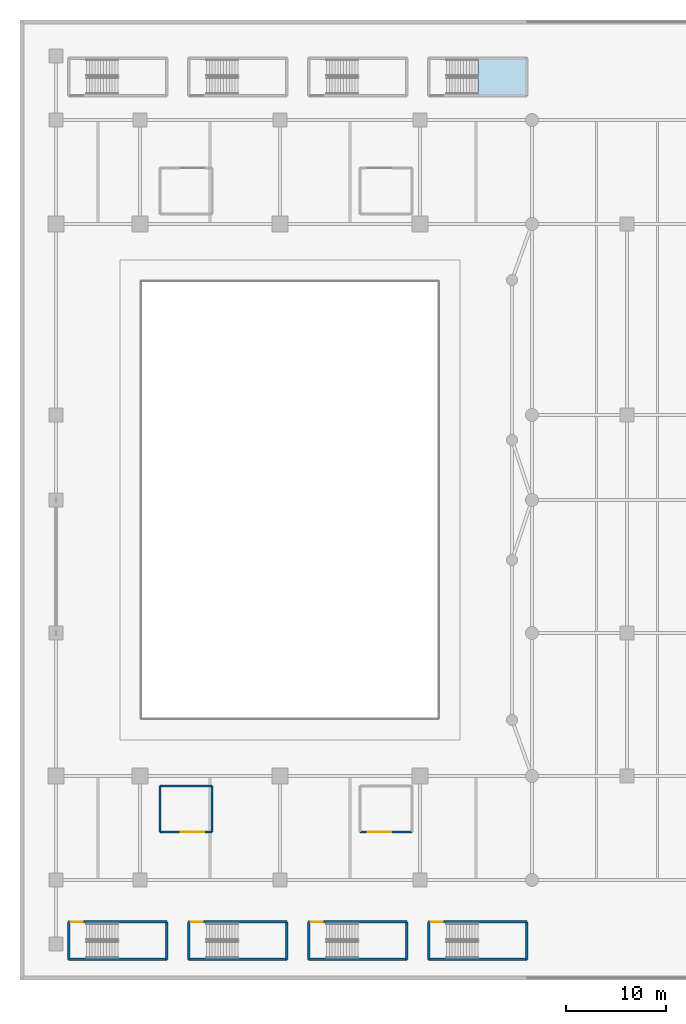
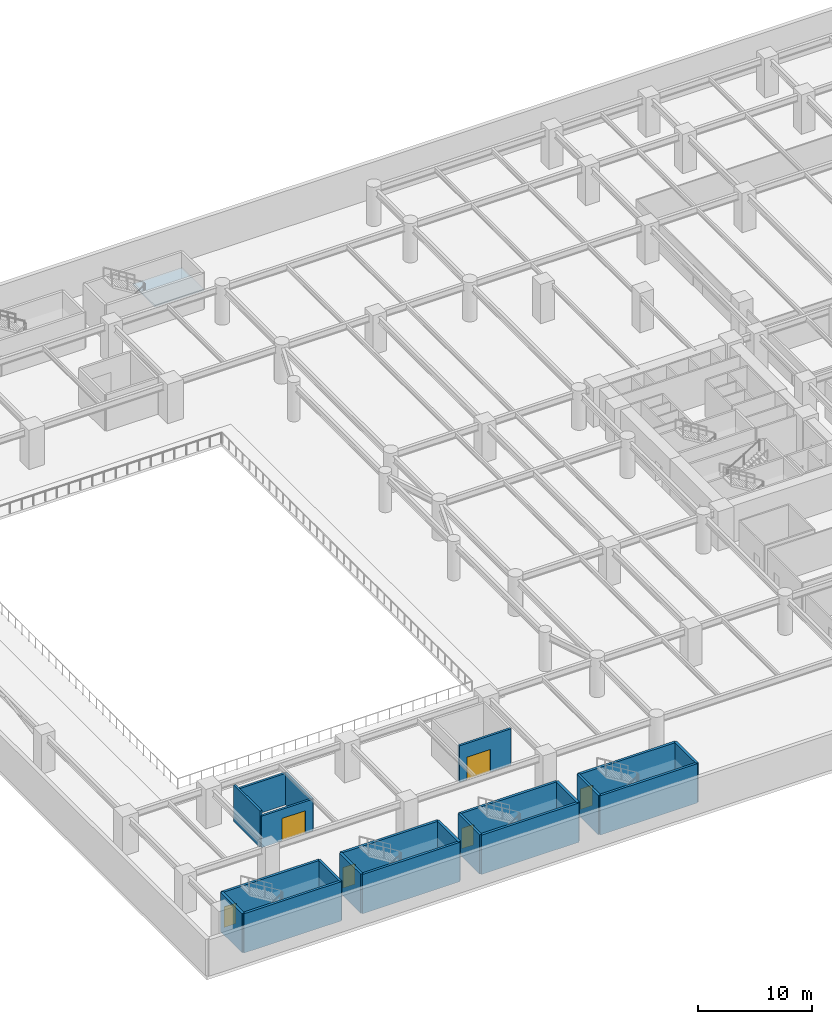
# One storey, part 5 of 22: 21 walls, 6 doors, 1 slab, 6 openings, 1 element without a shape of its own.
"""IFC4 building model written with IfcOpenShell, lengths in metres."""

from ifc_helpers import new_model, si_unit, direction, frame, frame_2d, origin, place, context, subcontext, project, spatial, polyline, rectangle, outline, extrude, material, layer, layer_set, type_object, element, fill, aggregate, save


model = new_model("IFC4")

# Units and contexts
model_context = context("Model", 3, precision=1e-05, world=origin(), true_north=direction((0.0, 1.0)))
body_context = subcontext(model_context, "Body", "Model", "MODEL_VIEW")
ifc_project = project(units=[si_unit("LENGTHUNIT", "METRE"), si_unit("AREAUNIT", "SQUARE_METRE"), si_unit("VOLUMEUNIT", "CUBIC_METRE"), si_unit("PLANEANGLEUNIT", "RADIAN"), si_unit("MASSUNIT", "GRAM", prefix="KILO")], contexts=[model_context])

# Site, building, storey
site_placement = place(None, origin())
site = spatial("IfcSite", under=ifc_project, at=site_placement, CompositionType="ELEMENT")
building_placement = place(site_placement, origin())
building = spatial("IfcBuilding", under=site, at=building_placement, Name="Narakoshi Arena Tower", CompositionType="ELEMENT")
storey_placement = place(building_placement, frame((0.0, 0.0, 13.199951171875)))
storey = spatial("IfcBuildingStorey", under=building, at=storey_placement, Name="L03", CompositionType="ELEMENT", Elevation=13.199951171875)

# Stair, slab
ifc_material_1 = material(Name="Concrete C45/55", Category="concrete")
stair_type = type_object("IfcStairType", Name="STR-ARN-2400", PredefinedType="TWO_STRAIGHT_RUN_STAIR", material=ifc_material_1)
stair_placement = place(storey_placement, origin())
stair = element("IfcStair", 1, at=stair_placement, inside=storey, type_object=stair_type, Name="L03 Arena Crowd Escape Stair AST8", PredefinedType="TWO_STRAIGHT_RUN_STAIR")
ifc_layer_1 = layer(ifc_material_1, 0.18994140625)
ifc_layer_set_1 = layer_set([ifc_layer_1], Name="Concrete C45/55")
slab_type = type_object("IfcSlabType", Name="SLB-LND-190", PredefinedType="LANDING", material=ifc_layer_set_1)
slab_placement = place(storey_placement, frame((0.0, 0.0, 1.91015625)))
slab = element("IfcSlab", 2, at=slab_placement, type_object=slab_type, Name="AST8 landing 1", PredefinedType="LANDING", context=body_context, shape_type="SweptSolid", body=[
    extrude(outline(polyline([(45.784912109375, 88.419921875), (50.72998046875, 88.419921875), (50.72998046875, 92.22998046875), (45.784912109375, 92.22998046875), (45.784912109375, 88.419921875)])), origin(), (0.0, 0.0, 1.0), 0.18994140625),
])
aggregate(stair, [slab])

# Wall, opening, door
ifc_material_2 = material(Name="Concrete C40/50", Category="concrete")
ifc_layer_2 = layer(ifc_material_2, 0.219970703125)
ifc_layer_set_2 = layer_set([ifc_layer_2], Name="Concrete C40/50")
wall_type_1 = type_object("IfcWallType", Name="WL-COMP-220", PredefinedType="SOLIDWALL", material=ifc_layer_set_2)
wall_1_placement = place(storey_placement, frame((14.0, 14.800048828125, 0.0), z_axis=(0.0, 0.0, 1.0), x_axis=(1.0, 0.0, 0.0)))
wall_1 = element("IfcWall", 3, at=wall_1_placement, inside=storey, type_object=wall_type_1, Name="L03 Vomitory 1 Wall S", PredefinedType="SOLIDWALL", context=body_context, shape_type="SweptSolid", body=[
    extrude(rectangle(XDim=5.199951171875, YDim=0.219970703125, at=frame_2d((2.60009765625, 0.0))), origin(), (0.0, 0.0, 1.0), 3.364990234375),
])
opening_1_placement = place(wall_1_placement, frame((2.050048828125, 0.0, 0.0)))
opening_1 = element("IfcOpeningElement", 4, at=opening_1_placement, cuts=wall_1, Name="Opening D-02", PredefinedType="OPENING", context=body_context, shape_type="SweptSolid", body=[
    extrude(rectangle(XDim=2.39990234375, YDim=2.39990234375, at=frame_2d((1.199951171875, 1.199951171875))), frame((0.0, 0.119873046875, 0.0), z_axis=(0.0, -1.0, 0.0), x_axis=(1.0, 0.0, 0.0)), (0.0, 0.0, 1.0), 0.239990234375),
])
ifc_material_3 = material(Name="Painted galvanized steel", Category="steel")
door_type_1 = type_object("IfcDoorType", Name="DR-ARN-2400", OperationType="DOUBLE_DOOR_SINGLE_SWING", PredefinedType="USERDEFINED", material=ifc_material_3)
door_1_placement = place(opening_1_placement, frame((2.39990234375, 0.0, 0.0), z_axis=(0.0, 0.0, 1.0), x_axis=(-1.0, 0.0, 0.0)))
door_1 = element("IfcDoor", 5, at=door_1_placement, inside=storey, type_object=door_type_1, Name="DR-L03-021", ObjectType="EXITDOOR", OperationType="DOUBLE_DOOR_SINGLE_SWING", OverallHeight=2.39990234375, OverallWidth=2.39990234375, PredefinedType="USERDEFINED", context=body_context, shape_type="SweptSolid", body=[
    extrude(rectangle(XDim=2.39990234375, YDim=2.39990234375, at=frame_2d((1.199951171875, 1.199951171875))), frame((0.0, 0.02490234375, 0.0), z_axis=(0.0, -1.0, 0.0), x_axis=(1.0, 0.0, 0.0)), (0.0, 0.0, 1.0), 0.050048828125),
])
fill(opening_1, door_1)

# Walls
wall_2_placement = place(storey_placement, frame((19.199951171875, 14.800048828125, 0.0), z_axis=(0.0, 0.0, 1.0), x_axis=(0.0, 1.0, 0.0)))
element("IfcWall", 6, at=wall_2_placement, inside=storey, type_object=wall_type_1, Name="L03 Vomitory 1 Wall E", PredefinedType="SOLIDWALL", context=body_context, shape_type="SweptSolid", body=[
    extrude(rectangle(XDim=4.599853515625, YDim=0.219970703125, at=frame_2d((2.2998046875, 0.0))), origin(), (0.0, 0.0, 1.0), 3.364990234375),
])
wall_3_placement = place(storey_placement, frame((19.199951171875, 19.39990234375, 0.0), z_axis=(0.0, 0.0, 1.0), x_axis=(-1.0, 0.0, 0.0)))
element("IfcWall", 7, at=wall_3_placement, inside=storey, type_object=wall_type_1, Name="L03 Vomitory 1 Wall N", PredefinedType="SOLIDWALL", context=body_context, shape_type="SweptSolid", body=[
    extrude(rectangle(XDim=5.199951171875, YDim=0.219970703125, at=frame_2d((2.60009765625, 0.0))), origin(), (0.0, 0.0, 1.0), 3.364990234375),
])
wall_4_placement = place(storey_placement, frame((14.0, 19.39990234375, 0.0), z_axis=(0.0, 0.0, 1.0), x_axis=(0.0, -1.0, 0.0)))
element("IfcWall", 8, at=wall_4_placement, inside=storey, type_object=wall_type_1, Name="L03 Vomitory 1 Wall W", PredefinedType="SOLIDWALL", context=body_context, shape_type="SweptSolid", body=[
    extrude(rectangle(XDim=4.599853515625, YDim=0.219970703125, at=frame_2d((2.2998046875, 0.0))), origin(), (0.0, 0.0, 1.0), 3.880126953125),
])

# Wall, opening, door
wall_5_placement = place(storey_placement, frame((34.0, 14.800048828125, 0.0), z_axis=(0.0, 0.0, 1.0), x_axis=(1.0, 0.0, 0.0)))
wall_5 = element("IfcWall", 9, at=wall_5_placement, inside=storey, type_object=wall_type_1, Name="L03 Vomitory 2 Wall S", PredefinedType="SOLIDWALL", context=body_context, shape_type="SweptSolid", body=[
    extrude(rectangle(XDim=5.199951171875, YDim=0.219970703125, at=frame_2d((2.60009765625, 0.0))), origin(), (0.0, 0.0, 1.0), 3.880126953125),
])
opening_2_placement = place(wall_5_placement, frame((0.75, 0.0, 0.0)))
opening_2 = element("IfcOpeningElement", 10, at=opening_2_placement, cuts=wall_5, Name="Opening D-02", PredefinedType="OPENING", context=body_context, shape_type="SweptSolid", body=[
    extrude(rectangle(XDim=2.39990234375, YDim=2.39990234375, at=frame_2d((1.199951171875, 1.199951171875))), frame((0.0, 0.119873046875, 0.0), z_axis=(0.0, -1.0, 0.0), x_axis=(1.0, 0.0, 0.0)), (0.0, 0.0, 1.0), 0.239990234375),
])
door_2_placement = place(opening_2_placement, frame((2.39990234375, 0.0, 0.0), z_axis=(0.0, 0.0, 1.0), x_axis=(-1.0, 0.0, 0.0)))
door_2 = element("IfcDoor", 11, at=door_2_placement, inside=storey, type_object=door_type_1, Name="DR-L03-022", ObjectType="EXITDOOR", OperationType="DOUBLE_DOOR_SINGLE_SWING", OverallHeight=2.39990234375, OverallWidth=2.39990234375, PredefinedType="USERDEFINED", context=body_context, shape_type="SweptSolid", body=[
    extrude(rectangle(XDim=2.39990234375, YDim=2.39990234375, at=frame_2d((1.199951171875, 1.199951171875))), frame((0.0, 0.02490234375, 0.0), z_axis=(0.0, -1.0, 0.0), x_axis=(1.0, 0.0, 0.0)), (0.0, 0.0, 1.0), 0.050048828125),
])
fill(opening_2, door_2)

# Walls
ifc_material_4 = material(Name="Concrete C50/60", Category="concrete")
ifc_layer_3 = layer(ifc_material_4, 0.35009765625)
ifc_layer_set_3 = layer_set([ifc_layer_3], Name="Concrete C50/60")
wall_type_2 = type_object("IfcWallType", Name="WL-SHAFT-350", PredefinedType="SOLIDWALL", material=ifc_layer_set_3)
for number, where, z_axis, x_axis, name in (
    (12, (4.85009765625, 2.050048828125, -0.320068359375), (0.0, 0.0, 1.0), (0.0, 1.0, 0.0), "L03 AST1 Enclosure Wall W"),
    (13, (14.699951171875, 2.050048828125, -0.320068359375), (0.0, 0.0, 1.0), (0.0, 1.0, 0.0), "L03 AST1 Enclosure Wall E"),
):
    element("IfcWall", number, at=place(storey_placement, frame(where, z_axis=z_axis, x_axis=x_axis)), inside=storey, type_object=wall_type_2, Name=name, PredefinedType="SOLIDWALL", context=body_context, shape_type="SweptSolid", body=[
        extrude(rectangle(XDim=3.75, YDim=0.25, at=frame_2d((1.875, 0.0))), origin(), (0.0, 0.0, 1.0), 4.2001953125),
    ])
wall_6_placement = place(storey_placement, frame((4.85009765625, 2.050048828125, -0.320068359375), z_axis=(0.0, 0.0, 1.0), x_axis=(1.0, 0.0, 0.0)))
element("IfcWall", 14, at=wall_6_placement, inside=storey, type_object=wall_type_2, Name="L03 AST1 Enclosure Wall B", PredefinedType="SOLIDWALL", context=body_context, shape_type="SweptSolid", body=[
    extrude(rectangle(XDim=9.849853515625, YDim=0.25, at=frame_2d((4.9248046875, 0.0))), origin(), (0.0, 0.0, 1.0), 4.2001953125),
])

# Wall, opening, door
wall_7_placement = place(storey_placement, frame((4.85009765625, 5.800048828125, -0.320068359375), z_axis=(0.0, 0.0, 1.0), x_axis=(1.0, 0.0, 0.0)))
wall_7 = element("IfcWall", 15, at=wall_7_placement, inside=storey, type_object=wall_type_2, Name="L03 AST1 Landing Door Wall", PredefinedType="SOLIDWALL", context=body_context, shape_type="SweptSolid", body=[
    extrude(rectangle(XDim=9.849853515625, YDim=0.25, at=frame_2d((4.9248046875, 0.0))), origin(), (0.0, 0.0, 1.0), 4.2001953125),
])
opening_3_placement = place(wall_7_placement, frame((0.219970703125, 0.0, 0.320068359375)))
opening_3 = element("IfcOpeningElement", 16, at=opening_3_placement, cuts=wall_7, Name="Opening D-03", PredefinedType="OPENING", context=body_context, shape_type="SweptSolid", body=[
    extrude(rectangle(XDim=1.199951171875, YDim=2.199951171875, at=frame_2d((0.60009765625, 1.10009765625))), frame((0.0, 0.135009765625, 0.0), z_axis=(0.0, -1.0, 0.0), x_axis=(1.0, 0.0, 0.0)), (0.0, 0.0, 1.0), 0.27001953125),
])
door_type_2 = type_object("IfcDoorType", Name="DR-STR-1200", OperationType="NOTDEFINED", PredefinedType="USERDEFINED", material=ifc_material_3)
door_3_placement = place(opening_3_placement, frame((1.199951171875, 0.0, 0.0), z_axis=(0.0, 0.0, 1.0), x_axis=(-1.0, 0.0, 0.0)))
door_3 = element("IfcDoor", 17, at=door_3_placement, inside=storey, type_object=door_type_2, Name="DR-L03-013", ObjectType="EXITDOOR", OperationType="SINGLE_SWING_LEFT", OverallHeight=2.199951171875, OverallWidth=1.199951171875, PredefinedType="USERDEFINED", context=body_context, shape_type="SweptSolid", body=[
    extrude(rectangle(XDim=1.199951171875, YDim=2.199951171875, at=frame_2d((0.60009765625, 1.10009765625))), frame((0.0, 0.02490234375, 0.0), z_axis=(0.0, -1.0, 0.0), x_axis=(1.0, 0.0, 0.0)), (0.0, 0.0, 1.0), 0.050048828125),
])
fill(opening_3, door_3)

# Walls
for number, where, z_axis, x_axis, name in (
    (18, (16.85009765625, 2.050048828125, -0.320068359375), (0.0, 0.0, 1.0), (0.0, 1.0, 0.0), "L03 AST2 Enclosure Wall W"),
    (19, (26.699951171875, 2.050048828125, -0.320068359375), (0.0, 0.0, 1.0), (0.0, 1.0, 0.0), "L03 AST2 Enclosure Wall E"),
):
    element("IfcWall", number, at=place(storey_placement, frame(where, z_axis=z_axis, x_axis=x_axis)), inside=storey, type_object=wall_type_2, Name=name, PredefinedType="SOLIDWALL", context=body_context, shape_type="SweptSolid", body=[
        extrude(rectangle(XDim=3.75, YDim=0.25, at=frame_2d((1.875, 0.0))), origin(), (0.0, 0.0, 1.0), 4.2001953125),
    ])
wall_8_placement = place(storey_placement, frame((16.85009765625, 2.050048828125, -0.320068359375), z_axis=(0.0, 0.0, 1.0), x_axis=(1.0, 0.0, 0.0)))
element("IfcWall", 20, at=wall_8_placement, inside=storey, type_object=wall_type_2, Name="L03 AST2 Enclosure Wall B", PredefinedType="SOLIDWALL", context=body_context, shape_type="SweptSolid", body=[
    extrude(rectangle(XDim=9.849853515625, YDim=0.25, at=frame_2d((4.9248046875, 0.0))), origin(), (0.0, 0.0, 1.0), 4.2001953125),
])

# Wall, opening, door
wall_9_placement = place(storey_placement, frame((16.85009765625, 5.800048828125, -0.320068359375), z_axis=(0.0, 0.0, 1.0), x_axis=(1.0, 0.0, 0.0)))
wall_9 = element("IfcWall", 21, at=wall_9_placement, inside=storey, type_object=wall_type_2, Name="L03 AST2 Landing Door Wall", PredefinedType="SOLIDWALL", context=body_context, shape_type="SweptSolid", body=[
    extrude(rectangle(XDim=9.849853515625, YDim=0.25, at=frame_2d((4.9248046875, 0.0))), origin(), (0.0, 0.0, 1.0), 4.2001953125),
])
opening_4_placement = place(wall_9_placement, frame((0.219970703125, 0.0, 0.320068359375)))
opening_4 = element("IfcOpeningElement", 22, at=opening_4_placement, cuts=wall_9, Name="Opening D-03", PredefinedType="OPENING", context=body_context, shape_type="SweptSolid", body=[
    extrude(rectangle(XDim=1.199951171875, YDim=2.199951171875, at=frame_2d((0.60009765625, 1.10009765625))), frame((0.0, 0.135009765625, 0.0), z_axis=(0.0, -1.0, 0.0), x_axis=(1.0, 0.0, 0.0)), (0.0, 0.0, 1.0), 0.27001953125),
])
door_4_placement = place(opening_4_placement, frame((1.199951171875, 0.0, 0.0), z_axis=(0.0, 0.0, 1.0), x_axis=(-1.0, 0.0, 0.0)))
door_4 = element("IfcDoor", 23, at=door_4_placement, inside=storey, type_object=door_type_2, Name="DR-L03-014", ObjectType="EXITDOOR", OperationType="SINGLE_SWING_RIGHT", OverallHeight=2.199951171875, OverallWidth=1.199951171875, PredefinedType="USERDEFINED", context=body_context, shape_type="SweptSolid", body=[
    extrude(rectangle(XDim=1.199951171875, YDim=2.199951171875, at=frame_2d((0.60009765625, 1.10009765625))), frame((0.0, 0.02490234375, 0.0), z_axis=(0.0, -1.0, 0.0), x_axis=(1.0, 0.0, 0.0)), (0.0, 0.0, 1.0), 0.050048828125),
])
fill(opening_4, door_4)

# Walls
for number, where, z_axis, x_axis, name in (
    (24, (28.85009765625, 2.050048828125, -0.320068359375), (0.0, 0.0, 1.0), (0.0, 1.0, 0.0), "L03 AST3 Enclosure Wall W"),
    (25, (38.699951171875, 2.050048828125, -0.320068359375), (0.0, 0.0, 1.0), (0.0, 1.0, 0.0), "L03 AST3 Enclosure Wall E"),
):
    element("IfcWall", number, at=place(storey_placement, frame(where, z_axis=z_axis, x_axis=x_axis)), inside=storey, type_object=wall_type_2, Name=name, PredefinedType="SOLIDWALL", context=body_context, shape_type="SweptSolid", body=[
        extrude(rectangle(XDim=3.75, YDim=0.25, at=frame_2d((1.875, 0.0))), origin(), (0.0, 0.0, 1.0), 4.2001953125),
    ])
wall_10_placement = place(storey_placement, frame((28.85009765625, 2.050048828125, -0.320068359375), z_axis=(0.0, 0.0, 1.0), x_axis=(1.0, 0.0, 0.0)))
element("IfcWall", 26, at=wall_10_placement, inside=storey, type_object=wall_type_2, Name="L03 AST3 Enclosure Wall B", PredefinedType="SOLIDWALL", context=body_context, shape_type="SweptSolid", body=[
    extrude(rectangle(XDim=9.849853515625, YDim=0.25, at=frame_2d((4.9248046875, 0.0))), origin(), (0.0, 0.0, 1.0), 4.2001953125),
])

# Wall, opening, door
wall_11_placement = place(storey_placement, frame((28.85009765625, 5.800048828125, -0.320068359375), z_axis=(0.0, 0.0, 1.0), x_axis=(1.0, 0.0, 0.0)))
wall_11 = element("IfcWall", 27, at=wall_11_placement, inside=storey, type_object=wall_type_2, Name="L03 AST3 Landing Door Wall", PredefinedType="SOLIDWALL", context=body_context, shape_type="SweptSolid", body=[
    extrude(rectangle(XDim=9.849853515625, YDim=0.25, at=frame_2d((4.9248046875, 0.0))), origin(), (0.0, 0.0, 1.0), 4.2001953125),
])
opening_5_placement = place(wall_11_placement, frame((0.219970703125, 0.0, 0.320068359375)))
opening_5 = element("IfcOpeningElement", 28, at=opening_5_placement, cuts=wall_11, Name="Opening D-03", PredefinedType="OPENING", context=body_context, shape_type="SweptSolid", body=[
    extrude(rectangle(XDim=1.199951171875, YDim=2.199951171875, at=frame_2d((0.60009765625, 1.10009765625))), frame((0.0, 0.135009765625, 0.0), z_axis=(0.0, -1.0, 0.0), x_axis=(1.0, 0.0, 0.0)), (0.0, 0.0, 1.0), 0.27001953125),
])
door_5_placement = place(opening_5_placement, frame((1.199951171875, 0.0, 0.0), z_axis=(0.0, 0.0, 1.0), x_axis=(-1.0, 0.0, 0.0)))
door_5 = element("IfcDoor", 29, at=door_5_placement, inside=storey, type_object=door_type_2, Name="DR-L03-015", ObjectType="EXITDOOR", OperationType="SINGLE_SWING_LEFT", OverallHeight=2.199951171875, OverallWidth=1.199951171875, PredefinedType="USERDEFINED", context=body_context, shape_type="SweptSolid", body=[
    extrude(rectangle(XDim=1.199951171875, YDim=2.199951171875, at=frame_2d((0.60009765625, 1.10009765625))), frame((0.0, 0.02490234375, 0.0), z_axis=(0.0, -1.0, 0.0), x_axis=(1.0, 0.0, 0.0)), (0.0, 0.0, 1.0), 0.050048828125),
])
fill(opening_5, door_5)

# Walls
for number, where, z_axis, x_axis, name in (
    (30, (40.85009765625, 2.050048828125, -0.320068359375), (0.0, 0.0, 1.0), (0.0, 1.0, 0.0), "L03 AST4 Enclosure Wall W"),
    (31, (50.699951171875, 2.050048828125, -0.320068359375), (0.0, 0.0, 1.0), (0.0, 1.0, 0.0), "L03 AST4 Enclosure Wall E"),
):
    element("IfcWall", number, at=place(storey_placement, frame(where, z_axis=z_axis, x_axis=x_axis)), inside=storey, type_object=wall_type_2, Name=name, PredefinedType="SOLIDWALL", context=body_context, shape_type="SweptSolid", body=[
        extrude(rectangle(XDim=3.75, YDim=0.25, at=frame_2d((1.875, 0.0))), origin(), (0.0, 0.0, 1.0), 4.2001953125),
    ])
wall_12_placement = place(storey_placement, frame((40.85009765625, 2.050048828125, -0.320068359375), z_axis=(0.0, 0.0, 1.0), x_axis=(1.0, 0.0, 0.0)))
element("IfcWall", 32, at=wall_12_placement, inside=storey, type_object=wall_type_2, Name="L03 AST4 Enclosure Wall B", PredefinedType="SOLIDWALL", context=body_context, shape_type="SweptSolid", body=[
    extrude(rectangle(XDim=9.849853515625, YDim=0.25, at=frame_2d((4.9248046875, 0.0))), origin(), (0.0, 0.0, 1.0), 4.2001953125),
])

# Wall, opening, door
wall_13_placement = place(storey_placement, frame((40.85009765625, 5.800048828125, -0.320068359375), z_axis=(0.0, 0.0, 1.0), x_axis=(1.0, 0.0, 0.0)))
wall_13 = element("IfcWall", 33, at=wall_13_placement, inside=storey, type_object=wall_type_2, Name="L03 AST4 Landing Door Wall", PredefinedType="SOLIDWALL", context=body_context, shape_type="SweptSolid", body=[
    extrude(rectangle(XDim=9.849853515625, YDim=0.25, at=frame_2d((4.9248046875, 0.0))), origin(), (0.0, 0.0, 1.0), 4.2001953125),
])
opening_6_placement = place(wall_13_placement, frame((0.219970703125, 0.0, 0.320068359375)))
opening_6 = element("IfcOpeningElement", 34, at=opening_6_placement, cuts=wall_13, Name="Opening D-03", PredefinedType="OPENING", context=body_context, shape_type="SweptSolid", body=[
    extrude(rectangle(XDim=1.199951171875, YDim=2.199951171875, at=frame_2d((0.60009765625, 1.10009765625))), frame((0.0, 0.135009765625, 0.0), z_axis=(0.0, -1.0, 0.0), x_axis=(1.0, 0.0, 0.0)), (0.0, 0.0, 1.0), 0.27001953125),
])
door_6_placement = place(opening_6_placement, frame((1.199951171875, 0.0, 0.0), z_axis=(0.0, 0.0, 1.0), x_axis=(-1.0, 0.0, 0.0)))
door_6 = element("IfcDoor", 35, at=door_6_placement, inside=storey, type_object=door_type_2, Name="DR-L03-016", ObjectType="EXITDOOR", OperationType="SINGLE_SWING_RIGHT", OverallHeight=2.199951171875, OverallWidth=1.199951171875, PredefinedType="USERDEFINED", context=body_context, shape_type="SweptSolid", body=[
    extrude(rectangle(XDim=1.199951171875, YDim=2.199951171875, at=frame_2d((0.60009765625, 1.10009765625))), frame((0.0, 0.02490234375, 0.0), z_axis=(0.0, -1.0, 0.0), x_axis=(1.0, 0.0, 0.0)), (0.0, 0.0, 1.0), 0.050048828125),
])
fill(opening_6, door_6)

save(model, "model.ifc")
